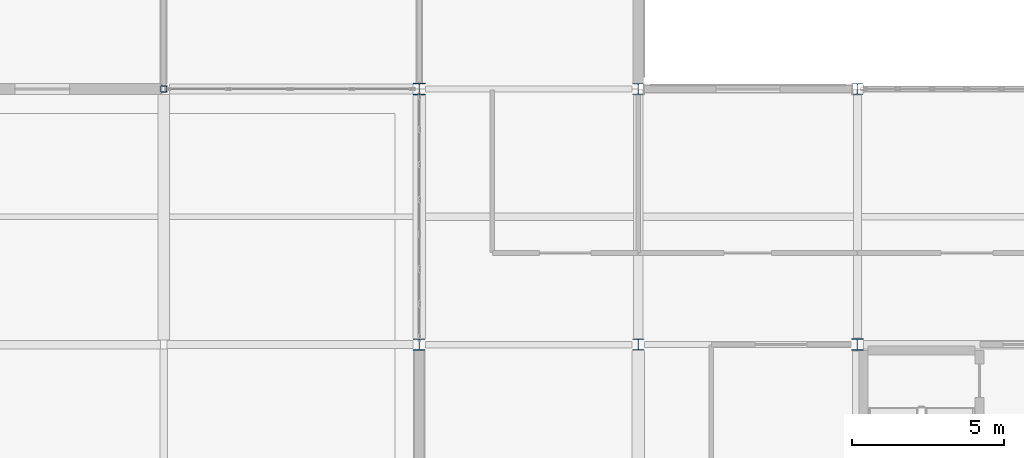
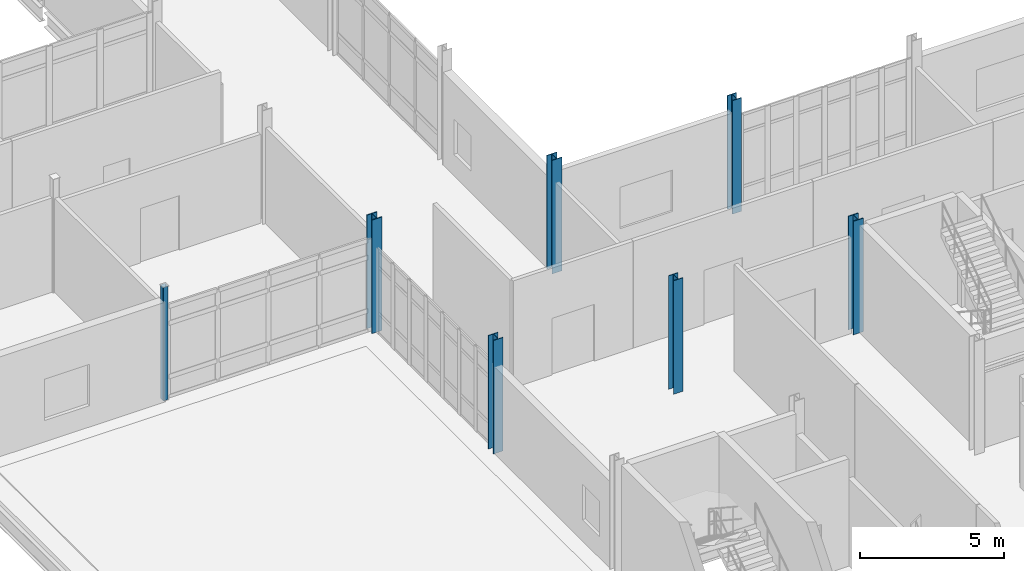
# One storey, part 9 of 186: 7 columns.
"""IFC4 building model written with IfcOpenShell, lengths in metres."""

from ifc_helpers import new_model, si_unit, direction, frame, origin, origin_2d, place, context, subcontext, project, spatial, hollow_rectangle, i_section, extrude, material, material_profile, profile_set, type_object, element, save


model = new_model("IFC4")

# Units and contexts
model_context = context("Model", 3, precision=1e-05, world=origin(), true_north=direction((0.0, 1.0)))
body_context = subcontext(model_context, "Body", "Model", "MODEL_VIEW")
ifc_project = project(units=[si_unit("LENGTHUNIT", "METRE"), si_unit("AREAUNIT", "SQUARE_METRE"), si_unit("VOLUMEUNIT", "CUBIC_METRE"), si_unit("PLANEANGLEUNIT", "RADIAN"), si_unit("MASSUNIT", "GRAM", prefix="KILO")], contexts=[model_context])

# Site, building, storey
site_placement = place(None, origin())
site = spatial("IfcSite", under=ifc_project, at=site_placement, CompositionType="ELEMENT")
building_placement = place(site_placement, origin())
building = spatial("IfcBuilding", under=site, at=building_placement, Name="Calvrana Isthmian Art Gallery", CompositionType="ELEMENT")
storey_placement = place(building_placement, frame((0.0, 0.0, 5.39990234375)))
storey = spatial("IfcBuildingStorey", under=building, at=storey_placement, Name="L01", CompositionType="ELEMENT", Elevation=5.39990234375)

# Columns
ifc_material_1 = material(Name="Steel ASTM A500 Gr C", Category="steel")
ifc_material_profile_1 = material_profile(ifc_material_1, hollow_rectangle(XDim=0.203125, YDim=0.203125, WallThickness=0.0126953125, OuterFilletRadius=0.02490234375, at=origin_2d()), Name="HSS203X203X12.7")
ifc_profile_set_1 = profile_set([ifc_material_profile_1], Name="Steel ASTM A500 Gr C")
column_type_1 = type_object("IfcColumnType", Name="COL-STL-HSS203X203X12.7", PredefinedType="COLUMN", material=ifc_profile_set_1)
column_1_placement = place(storey_placement, frame((104.39990234375, 46.800048828125, 0.0), z_axis=(0.0, 0.0, 1.0), x_axis=(1.0, 0.0, 0.0)))
element("IfcColumn", 1, at=column_1_placement, inside=storey, type_object=column_type_1, Name="Column 14/G L01", PredefinedType="COLUMN", context=body_context, shape_type="SweptSolid", body=[
    extrude(hollow_rectangle(XDim=0.203125, YDim=0.203125, WallThickness=0.0126953125, OuterFilletRadius=0.02490234375, at=origin_2d()), origin(), (0.0, 0.0, 1.0), 4.800048828125),
])
ifc_material_2 = material(Name="Steel ASTM A992 Gr 50", Category="steel")
ifc_material_profile_2 = material_profile(ifc_material_2, i_section(OverallWidth=0.373046875, OverallDepth=0.373046875, WebThickness=0.016357421875, FlangeThickness=0.026123046875, FilletRadius=0.02490234375, at=origin_2d()), Name="W14X132")
ifc_profile_set_2 = profile_set([ifc_material_profile_2], Name="Steel ASTM A992 Gr 50")
column_type_2 = type_object("IfcColumnType", Name="COL-STL-W14X132", PredefinedType="COLUMN", material=ifc_profile_set_2)
for number, where, z_axis, x_axis, name in (
    (2, (120.0, 38.39990234375, 0.0), (0.0, 0.0, 1.0), (1.0, 0.0, 0.0), "Column 16/F L01"),
    (3, (127.199951171875, 46.800048828125, 0.0), (0.0, 0.0, 1.0), (1.0, 0.0, 0.0), "Column 17/G L01"),
):
    element("IfcColumn", number, at=place(storey_placement, frame(where, z_axis=z_axis, x_axis=x_axis)), inside=storey, type_object=column_type_2, Name=name, PredefinedType="COLUMN", context=body_context, shape_type="SweptSolid", body=[
        extrude(i_section(OverallWidth=0.373046875, OverallDepth=0.373046875, WebThickness=0.016357421875, FlangeThickness=0.026123046875, FilletRadius=0.02490234375, at=origin_2d()), origin(), (0.0, 0.0, 1.0), 4.800048828125),
    ])
ifc_material_profile_3 = material_profile(ifc_material_2, i_section(OverallWidth=0.39404296875, OverallDepth=0.3759765625, WebThickness=0.017333984375, FlangeThickness=0.027587890625, FilletRadius=0.02490234375, at=origin_2d()), Name="W14X145")
ifc_profile_set_3 = profile_set([ifc_material_profile_3], Name="Steel ASTM A992 Gr 50")
column_type_3 = type_object("IfcColumnType", Name="COL-STL-W14X145", PredefinedType="COLUMN", material=ifc_profile_set_3)
for number, where, z_axis, x_axis, name in (
    (4, (112.800048828125, 38.39990234375, 0.0), (0.0, 0.0, 1.0), (1.0, 0.0, 0.0), "Column 15/F L01"),
    (5, (120.0, 46.800048828125, 0.0), (0.0, 0.0, 1.0), (1.0, 0.0, 0.0), "Column 16/G L01"),
):
    element("IfcColumn", number, at=place(storey_placement, frame(where, z_axis=z_axis, x_axis=x_axis)), inside=storey, type_object=column_type_3, Name=name, PredefinedType="COLUMN", context=body_context, shape_type="SweptSolid", body=[
        extrude(i_section(OverallWidth=0.39404296875, OverallDepth=0.3759765625, WebThickness=0.017333984375, FlangeThickness=0.027587890625, FilletRadius=0.02490234375, at=origin_2d()), origin(), (0.0, 0.0, 1.0), 4.800048828125),
    ])
ifc_material_profile_4 = material_profile(ifc_material_2, i_section(OverallWidth=0.39599609375, OverallDepth=0.381103515625, WebThickness=0.018798828125, FlangeThickness=0.0302734375, FilletRadius=0.02490234375, at=origin_2d()), Name="W14X159")
ifc_profile_set_4 = profile_set([ifc_material_profile_4], Name="Steel ASTM A992 Gr 50")
column_type_4 = type_object("IfcColumnType", Name="COL-STL-W14X159", PredefinedType="COLUMN", material=ifc_profile_set_4)
column_2_placement = place(storey_placement, frame((112.800048828125, 46.800048828125, 0.0), z_axis=(0.0, 0.0, 1.0), x_axis=(1.0, 0.0, 0.0)))
element("IfcColumn", 6, at=column_2_placement, inside=storey, type_object=column_type_4, Name="Column 15/G L01", PredefinedType="COLUMN", context=body_context, shape_type="SweptSolid", body=[
    extrude(i_section(OverallWidth=0.39599609375, OverallDepth=0.381103515625, WebThickness=0.018798828125, FlangeThickness=0.0302734375, FilletRadius=0.02490234375, at=origin_2d()), origin(), (0.0, 0.0, 1.0), 4.800048828125),
])
ifc_material_profile_5 = material_profile(ifc_material_2, i_section(OverallWidth=0.39892578125, OverallDepth=0.385986328125, WebThickness=0.02099609375, FlangeThickness=0.033203125, FilletRadius=0.02490234375, at=origin_2d()), Name="W14X176")
ifc_profile_set_5 = profile_set([ifc_material_profile_5], Name="Steel ASTM A992 Gr 50")
column_type_5 = type_object("IfcColumnType", Name="COL-STL-W14X176", PredefinedType="COLUMN", material=ifc_profile_set_5)
column_3_placement = place(storey_placement, frame((127.199951171875, 38.39990234375, 0.0), z_axis=(0.0, 0.0, 1.0), x_axis=(1.0, 0.0, 0.0)))
element("IfcColumn", 7, at=column_3_placement, inside=storey, type_object=column_type_5, Name="Column 17/F L01", PredefinedType="COLUMN", context=body_context, shape_type="SweptSolid", body=[
    extrude(i_section(OverallWidth=0.39892578125, OverallDepth=0.385986328125, WebThickness=0.02099609375, FlangeThickness=0.033203125, FilletRadius=0.02490234375, at=origin_2d()), origin(), (0.0, 0.0, 1.0), 4.800048828125),
])

save(model, "model.ifc")
